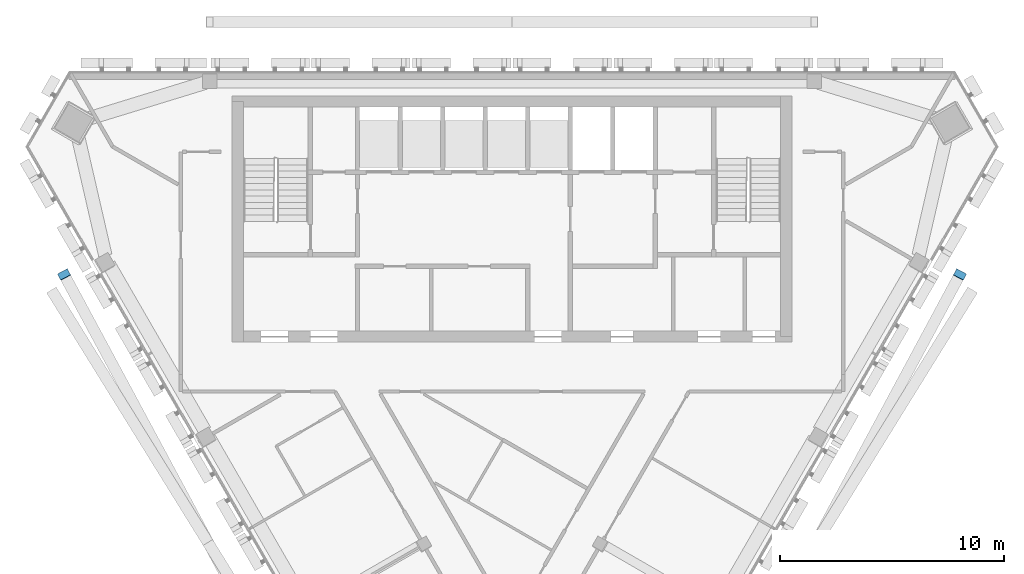
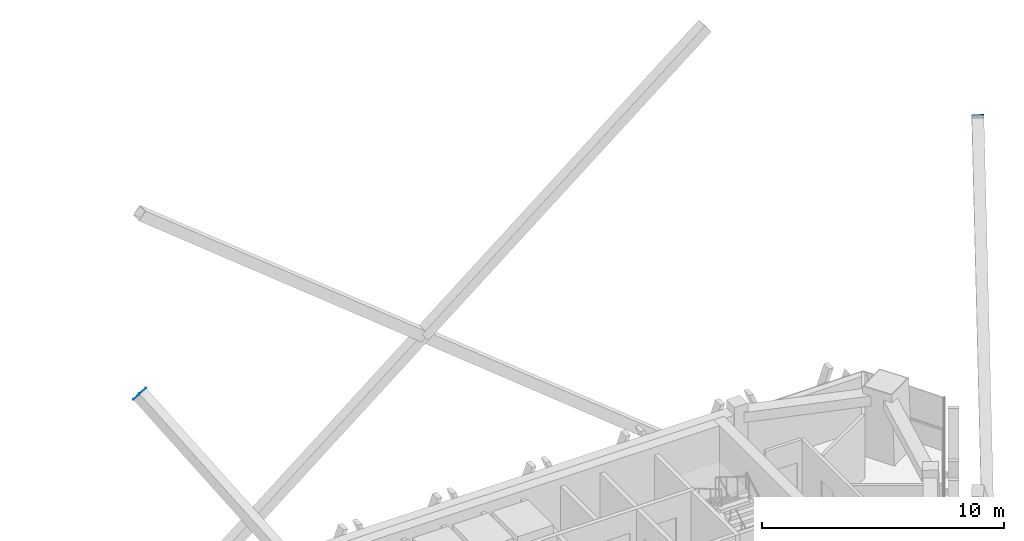
# One storey, part 10 of 12: 2 discrete accessories.
"""IFC4 building model written with IfcOpenShell, lengths in metres."""

from ifc_helpers import new_model, si_unit, direction, frame, origin, origin_2d, place, context, subcontext, project, spatial, rectangle, extrude, material, material_profile, profile_set, type_object, element, save


model = new_model("IFC4")

# Units and contexts
model_context = context("Model", 3, precision=1e-05, world=origin(), true_north=direction((0.0, 1.0)))
body_context = subcontext(model_context, "Body", "Model", "MODEL_VIEW")
ifc_project = project(units=[si_unit("LENGTHUNIT", "METRE"), si_unit("AREAUNIT", "SQUARE_METRE"), si_unit("VOLUMEUNIT", "CUBIC_METRE"), si_unit("PLANEANGLEUNIT", "RADIAN"), si_unit("MASSUNIT", "GRAM", prefix="KILO")], contexts=[model_context])

# Site, building, storey
site_placement = place(None, origin())
site = spatial("IfcSite", under=ifc_project, at=site_placement, CompositionType="ELEMENT")
building_placement = place(site_placement, origin())
building = spatial("IfcBuilding", under=site, at=building_placement, Name="Altiplano Prism Tower", CompositionType="ELEMENT")
storey_placement = place(building_placement, frame((0.0, 0.0, 313.0)))
storey = spatial("IfcBuildingStorey", under=building, at=storey_placement, Name="L81", CompositionType="ELEMENT", Elevation=313.0)

# Discrete accessories
ifc_material = material(Name="Steel S355", Category="steel")
ifc_material_profile = material_profile(ifc_material, rectangle(XDim=0.5, YDim=0.5, at=origin_2d()), Name="Brace end plate 500x500x25")
ifc_profile_set = profile_set([ifc_material_profile], Name="Steel S355")
discrete_accessory_type = type_object("IfcDiscreteAccessoryType", Name="Brace end plate 500x500x25", PredefinedType="ANCHORPLATE", material=ifc_profile_set)
for number, where, z_axis, x_axis, name in (
    (1, (64.992919921875, 95.929443359375, 20.949951171875), (0.371657027188, -0.694411813956, -0.616168229285), (0.88166450837, 0.471876779128, 0.0), "Brace end plate Mega brace 9.1.4 end 2"),
    (2, (105.007080078125, 95.929443359375, 20.949951171875), (-0.371657027188, -0.694411813956, -0.616168229285), (0.88166450837, -0.471876779128, 0.0), "Brace end plate Mega brace 9.2.2 end 2"),
):
    element("IfcDiscreteAccessory", number, at=place(storey_placement, frame(where, z_axis=z_axis, x_axis=x_axis)), inside=storey, type_object=discrete_accessory_type, Name=name, PredefinedType="ANCHORPLATE", context=body_context, shape_type="SweptSolid", body=[
        extrude(rectangle(XDim=0.5, YDim=0.5, at=origin_2d()), origin(), (0.0, 0.0, 1.0), 0.02490234375),
    ])

save(model, "model.ifc")
